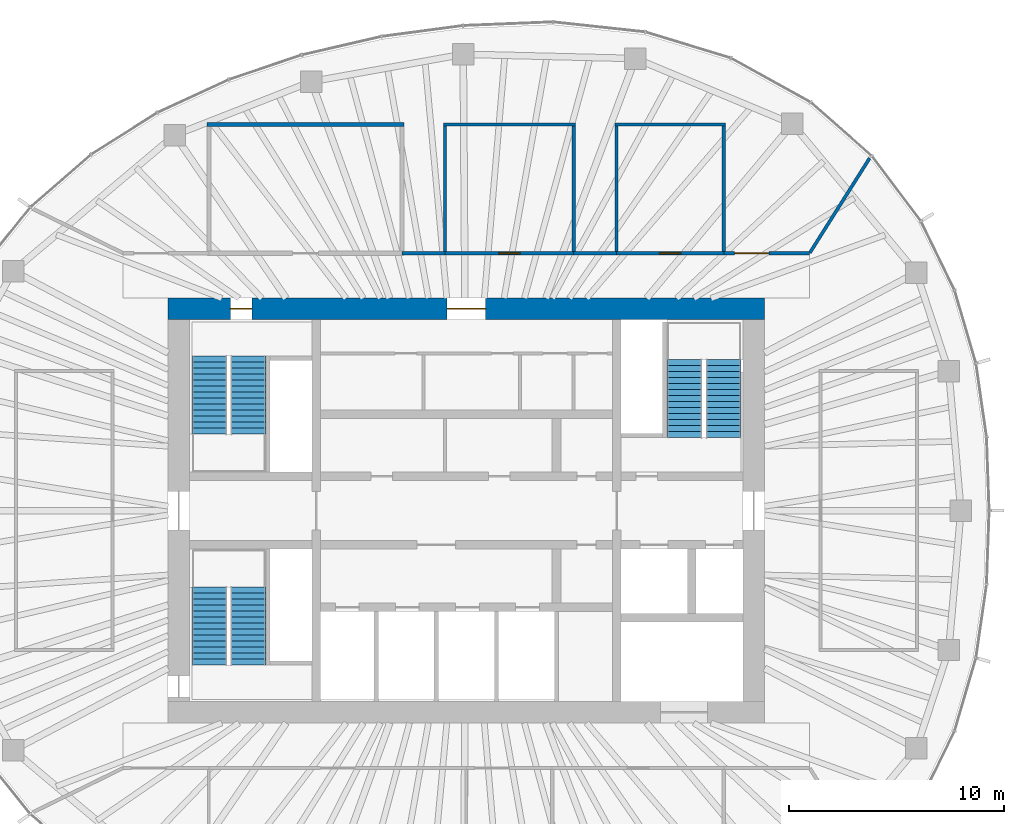
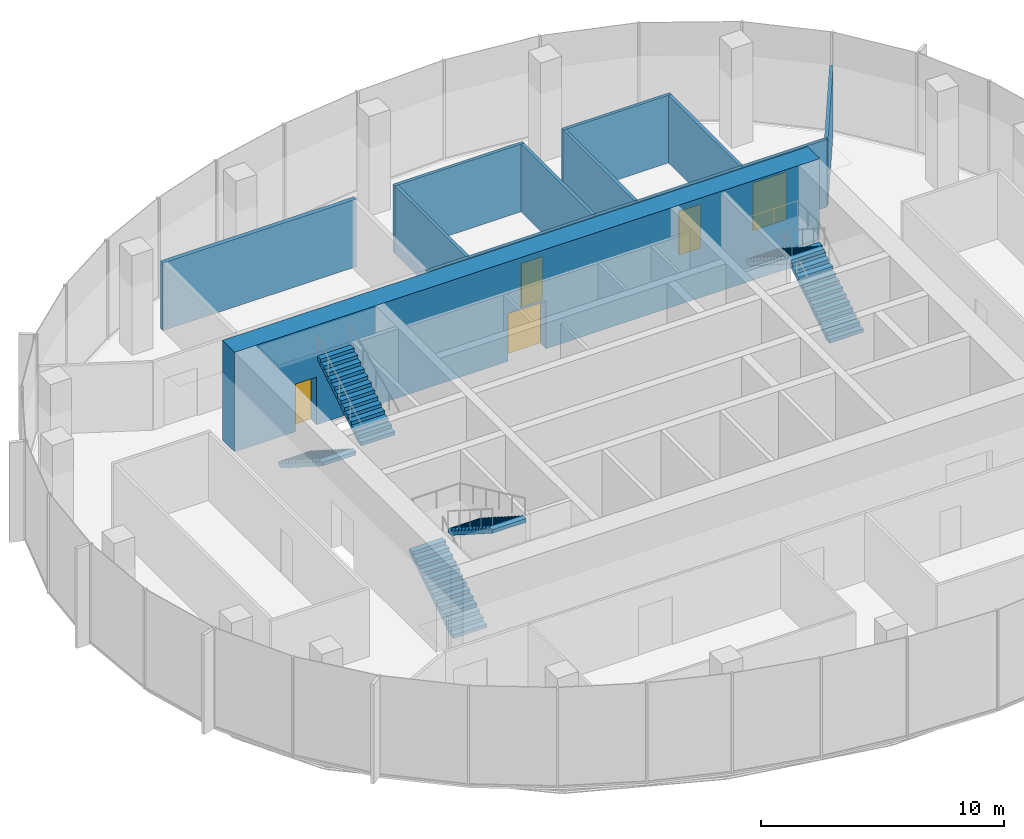
# One storey, part 10 of 11: 14 walls, 6 stair flights, 5 doors, 5 openings, 3 elements without a shape of their own.
"""IFC4 building model written with IfcOpenShell, lengths in metres."""

from ifc_helpers import new_model, si_unit, direction, frame, frame_2d, origin, place, context, subcontext, project, spatial, polyline, rectangle, outline, extrude, material, layer, layer_set, type_object, element, fill, aggregate, save


model = new_model("IFC4")

# Units and contexts
model_context = context("Model", 3, precision=1e-05, world=origin(), true_north=direction((0.0, 1.0)))
body_context = subcontext(model_context, "Body", "Model", "MODEL_VIEW")
ifc_project = project(units=[si_unit("LENGTHUNIT", "METRE"), si_unit("AREAUNIT", "SQUARE_METRE"), si_unit("VOLUMEUNIT", "CUBIC_METRE"), si_unit("PLANEANGLEUNIT", "RADIAN"), si_unit("MASSUNIT", "GRAM", prefix="KILO")], contexts=[model_context])

# Site, building, storey
site_placement = place(None, origin())
site = spatial("IfcSite", under=ifc_project, at=site_placement, CompositionType="ELEMENT")
building_placement = place(site_placement, origin())
building = spatial("IfcBuilding", under=site, at=building_placement, Name="Ghaith Harvest Tower", CompositionType="ELEMENT")
storey_placement = place(building_placement, frame((0.0, 0.0, 334.199951171875)))
storey = spatial("IfcBuildingStorey", under=building, at=storey_placement, Name="L75", CompositionType="ELEMENT", Elevation=334.199951171875)

# Wall
ifc_material_1 = material(Name="Twin-stud gypsum board, acoustic", Category="gypsum")
ifc_layer_1 = layer(ifc_material_1, 0.199951171875)
ifc_layer_set_1 = layer_set([ifc_layer_1], Name="ACOUSTIC PARTITION 200")
wall_type_1 = type_object("IfcWallType", Name="ACOUSTIC PARTITION 200", PredefinedType="PARTITIONING", material=ifc_layer_set_1)
wall_1_placement = place(storey_placement, frame((-12.10009765625, 18.0, 0.0), z_axis=(0.0, 0.0, 1.0), x_axis=(1.0, 0.0, 0.0)))
element("IfcWall", 1, at=wall_1_placement, inside=storey, type_object=wall_type_1, Name="Partition L75-01", PredefinedType="PARTITIONING", context=body_context, shape_type="SweptSolid", body=[
    extrude(rectangle(XDim=9.2001953125, YDim=0.199951171875, at=frame_2d((4.60009765625, 0.0))), origin(), (0.0, 0.0, 1.0), 3.400146484375),
])

# Wall, openings, doors
ifc_material_2 = material(Name="Concrete C50/60", Category="concrete")
ifc_layer_2 = layer(ifc_material_2, 1.0)
ifc_layer_set_2 = layer_set([ifc_layer_2], Name="CORE WALL CW1000")
wall_type_2 = type_object("IfcWallType", Name="CORE WALL CW1000", PredefinedType="SHEAR", material=ifc_layer_set_2)
wall_2_placement = place(storey_placement, frame((13.89990234375, 9.39990234375, 0.0), z_axis=(0.0, 0.0, 1.0), x_axis=(-1.0, 0.0, 0.0)))
wall_2 = element("IfcWall", 2, at=wall_2_placement, inside=storey, type_object=wall_type_2, Name="Core wall N L75", PredefinedType="SHEAR", context=body_context, shape_type="SweptSolid", body=[
    extrude(rectangle(XDim=27.7998046875, YDim=1.0, at=frame_2d((13.89990234375, 0.0))), origin(), (0.0, 0.0, 1.0), 5.0),
])
opening_1_placement = place(wall_2_placement, frame((23.89990234375, 0.0, 0.0)))
opening_1 = element("IfcOpeningElement", 3, at=opening_1_placement, cuts=wall_2, Name="Opening 75-005", PredefinedType="OPENING", context=body_context, shape_type="SweptSolid", body=[
    extrude(rectangle(XDim=1.0, YDim=2.39990234375, at=frame_2d((0.5, 1.199951171875))), frame((0.0, 0.510009765625, 0.0), z_axis=(0.0, -1.0, 0.0), x_axis=(1.0, 0.0, 0.0)), (0.0, 0.0, 1.0), 1.02001953125),
])
opening_2_placement = place(wall_2_placement, frame((13.0, 0.0, 0.0)))
opening_2 = element("IfcOpeningElement", 4, at=opening_2_placement, cuts=wall_2, Name="Opening 75-017", PredefinedType="OPENING", context=body_context, shape_type="SweptSolid", body=[
    extrude(rectangle(XDim=1.800048828125, YDim=2.39990234375, at=frame_2d((0.89990234375, 1.199951171875))), frame((0.0, 0.510009765625, 0.0), z_axis=(0.0, -1.0, 0.0), x_axis=(1.0, 0.0, 0.0)), (0.0, 0.0, 1.0), 1.02001953125),
])
ifc_material_3 = material(Name="Steel fire door", Category="steel")
door_type_1 = type_object("IfcDoorType", Name="D3 FD90 1000x2400", OperationType="SINGLE_SWING_LEFT", PredefinedType="DOOR", material=ifc_material_3)
door_1_placement = place(opening_1_placement, origin())
door_1 = element("IfcDoor", 5, at=door_1_placement, inside=storey, type_object=door_type_1, Name="Stair ST1 door", OperationType="SINGLE_SWING_RIGHT", OverallHeight=2.39990234375, OverallWidth=1.0, PredefinedType="DOOR", context=body_context, shape_type="SweptSolid", body=[
    extrude(rectangle(XDim=1.0, YDim=2.39990234375, at=frame_2d((0.5, 1.199951171875))), frame((0.0, 0.02490234375, 0.0), z_axis=(0.0, -1.0, 0.0), x_axis=(1.0, 0.0, 0.0)), (0.0, 0.0, 1.0), 0.050048828125),
])
fill(opening_1, door_1)
ifc_material_4 = material(Name="Steel fire door", Category="steel")
door_type_2 = type_object("IfcDoorType", Name="D4 FD90 PAIR 1800x2400", OperationType="DOUBLE_DOOR_SINGLE_SWING", PredefinedType="DOOR", material=ifc_material_4)
door_2_placement = place(opening_2_placement, origin())
door_2 = element("IfcDoor", 6, at=door_2_placement, inside=storey, type_object=door_type_2, Name="Core service corridor doors", OperationType="DOUBLE_DOOR_SINGLE_SWING", OverallHeight=2.39990234375, OverallWidth=1.800048828125, PredefinedType="DOOR", context=body_context, shape_type="SweptSolid", body=[
    extrude(rectangle(XDim=1.800048828125, YDim=2.39990234375, at=frame_2d((0.89990234375, 1.199951171875))), frame((0.0, 0.02490234375, 0.0), z_axis=(0.0, -1.0, 0.0), x_axis=(1.0, 0.0, 0.0)), (0.0, 0.0, 1.0), 0.050048828125),
])
fill(opening_2, door_2)

# Walls
ifc_material_5 = material(Name="Gypsum board on steel studs", Category="steel")
ifc_layer_3 = layer(ifc_material_5, 0.14990234375)
ifc_layer_set_3 = layer_set([ifc_layer_3], Name="PARTITION 150")
wall_type_3 = type_object("IfcWallType", Name="PARTITION 150", PredefinedType="PARTITIONING", material=ifc_layer_set_3)
wall_3_placement = place(storey_placement, frame((16.0107421875, 12.016845703125, 0.0), z_axis=(0.0, 0.0, 1.0), x_axis=(0.53415837449, 0.845384427916, 0.0)))
element("IfcWall", 7, at=wall_3_placement, inside=storey, type_object=wall_type_3, Name="Partition L75 zone division", PredefinedType="PARTITIONING", context=body_context, shape_type="SweptSolid", body=[
    extrude(rectangle(XDim=5.220458984375, YDim=0.14990234375, at=frame_2d((2.6103515625, 0.0))), origin(), (0.0, 0.0, 1.0), 3.400146484375),
])
for number, where, z_axis, x_axis, name in (
    (8, (-1.0, 12.0, 0.0), (0.0, 0.0, 1.0), (-1.0, 0.0, 0.0), "Partition L75 zone enclosure"),
    (9, (7.0, 12.0, 0.0), (0.0, 0.0, 1.0), (-1.0, 0.0, 0.0), "Partition L75 zone enclosure"),
):
    element("IfcWall", number, at=place(storey_placement, frame(where, z_axis=z_axis, x_axis=x_axis)), inside=storey, type_object=wall_type_3, Name=name, PredefinedType="PARTITIONING", context=body_context, shape_type="SweptSolid", body=[
        extrude(rectangle(XDim=2.0, YDim=0.14990234375, at=frame_2d((1.0, 0.0))), origin(), (0.0, 0.0, 1.0), 3.400146484375),
    ])

# Wall, opening, door
wall_4_placement = place(storey_placement, frame((16.0, 12.0, 0.0), z_axis=(0.0, 0.0, 1.0), x_axis=(-1.0, 0.0, 0.0)))
wall_4 = element("IfcWall", 10, at=wall_4_placement, inside=storey, type_object=wall_type_3, Name="Partition L75 zone enclosure", PredefinedType="PARTITIONING", context=body_context, shape_type="SweptSolid", body=[
    extrude(rectangle(XDim=4.0, YDim=0.14990234375, at=frame_2d((2.0, 0.0))), origin(), (0.0, 0.0, 1.0), 3.400146484375),
])
opening_3_placement = place(wall_4_placement, frame((1.89990234375, 0.0, 0.0)))
opening_3 = element("IfcOpeningElement", 11, at=opening_3_placement, cuts=wall_4, Name="Opening 75-032", PredefinedType="OPENING", context=body_context, shape_type="SweptSolid", body=[
    extrude(rectangle(XDim=1.60009765625, YDim=2.39990234375, at=frame_2d((0.800048828125, 1.199951171875))), frame((0.0, 0.0849609375, 0.0), z_axis=(0.0, -1.0, 0.0), x_axis=(1.0, 0.0, 0.0)), (0.0, 0.0, 1.0), 0.169921875),
])
ifc_material_6 = material(Name="Timber door", Category="wood")
door_type_3 = type_object("IfcDoorType", Name="D2 PAIR 1600x2400", OperationType="DOUBLE_DOOR_SINGLE_SWING", PredefinedType="DOOR", material=ifc_material_6)
door_3_placement = place(opening_3_placement, origin())
door_3 = element("IfcDoor", 12, at=door_3_placement, inside=storey, type_object=door_type_3, Name="Farm-to-table restaurant north door", OperationType="DOUBLE_DOOR_SINGLE_SWING", OverallHeight=2.39990234375, OverallWidth=1.60009765625, PredefinedType="DOOR", context=body_context, shape_type="SweptSolid", body=[
    extrude(rectangle(XDim=1.60009765625, YDim=2.39990234375, at=frame_2d((0.800048828125, 1.199951171875))), frame((0.0, 0.02490234375, 0.0), z_axis=(0.0, -1.0, 0.0), x_axis=(1.0, 0.0, 0.0)), (0.0, 0.0, 1.0), 0.050048828125),
])
fill(opening_3, door_3)

wall_5_placement = place(storey_placement, frame((-1.074951171875, 12.0, 0.0), z_axis=(0.0, 0.0, 1.0), x_axis=(1.0, 0.0, 0.0)))
wall_5 = element("IfcWall", 13, at=wall_5_placement, inside=storey, type_object=wall_type_3, Name="Partition L75-02", PredefinedType="PARTITIONING", context=body_context, shape_type="SweptSolid", body=[
    extrude(rectangle(XDim=6.14990234375, YDim=0.14990234375, at=frame_2d((3.074951171875, 0.0))), origin(), (0.0, 0.0, 1.0), 3.400146484375),
])
opening_4_placement = place(wall_5_placement, frame((2.574951171875, 0.0, 0.0)))
opening_4 = element("IfcOpeningElement", 14, at=opening_4_placement, cuts=wall_5, Name="Opening 75-026", PredefinedType="OPENING", context=body_context, shape_type="SweptSolid", body=[
    extrude(rectangle(XDim=1.0, YDim=2.199951171875, at=frame_2d((0.5, 1.10009765625))), frame((0.0, 0.0849609375, 0.0), z_axis=(0.0, -1.0, 0.0), x_axis=(1.0, 0.0, 0.0)), (0.0, 0.0, 1.0), 0.169921875),
])
ifc_material_7 = material(Name="Timber door", Category="wood")
door_type_4 = type_object("IfcDoorType", Name="D1 SINGLE 1000x2200", OperationType="SINGLE_SWING_LEFT", PredefinedType="DOOR", material=ifc_material_7)
door_4_placement = place(opening_4_placement, origin())
door_4 = element("IfcDoor", 15, at=door_4_placement, inside=storey, type_object=door_type_4, Name="Chef's office door", OperationType="SINGLE_SWING_LEFT", OverallHeight=2.199951171875, OverallWidth=1.0, PredefinedType="DOOR", context=body_context, shape_type="SweptSolid", body=[
    extrude(rectangle(XDim=1.0, YDim=2.199951171875, at=frame_2d((0.5, 1.10009765625))), frame((0.0, 0.02490234375, 0.0), z_axis=(0.0, -1.0, 0.0), x_axis=(1.0, 0.0, 0.0)), (0.0, 0.0, 1.0), 0.050048828125),
])
fill(opening_4, door_4)

# Walls
wall_6_placement = place(storey_placement, frame((-1.074951171875, 18.0, 0.0), z_axis=(0.0, 0.0, 1.0), x_axis=(1.0, 0.0, 0.0)))
element("IfcWall", 16, at=wall_6_placement, inside=storey, type_object=wall_type_3, Name="Partition L75-02", PredefinedType="PARTITIONING", context=body_context, shape_type="SweptSolid", body=[
    extrude(rectangle(XDim=6.14990234375, YDim=0.14990234375, at=frame_2d((3.074951171875, 0.0))), origin(), (0.0, 0.0, 1.0), 3.400146484375),
])
for number, where, z_axis, x_axis, name in (
    (17, (-1.0, 12.074951171875, 0.0), (0.0, 0.0, 1.0), (0.0, 1.0, 0.0), "Partition L75-02"),
    (18, (5.0, 12.074951171875, 0.0), (0.0, 0.0, 1.0), (0.0, 1.0, 0.0), "Partition L75-02"),
):
    element("IfcWall", number, at=place(storey_placement, frame(where, z_axis=z_axis, x_axis=x_axis)), inside=storey, type_object=wall_type_3, Name=name, PredefinedType="PARTITIONING", context=body_context, shape_type="SweptSolid", body=[
        extrude(rectangle(XDim=5.85009765625, YDim=0.14990234375, at=frame_2d((2.925048828125, 0.0))), origin(), (0.0, 0.0, 1.0), 3.400146484375),
    ])

# Wall, opening, door
wall_7_placement = place(storey_placement, frame((6.925048828125, 12.0, 0.0), z_axis=(0.0, 0.0, 1.0), x_axis=(1.0, 0.0, 0.0)))
wall_7 = element("IfcWall", 19, at=wall_7_placement, inside=storey, type_object=wall_type_3, Name="Partition L75-03", PredefinedType="PARTITIONING", context=body_context, shape_type="SweptSolid", body=[
    extrude(rectangle(XDim=5.14990234375, YDim=0.14990234375, at=frame_2d((2.574951171875, 0.0))), origin(), (0.0, 0.0, 1.0), 3.400146484375),
])
opening_5_placement = place(wall_7_placement, frame((2.074951171875, 0.0, 0.0)))
opening_5 = element("IfcOpeningElement", 20, at=opening_5_placement, cuts=wall_7, Name="Opening 75-027", PredefinedType="OPENING", context=body_context, shape_type="SweptSolid", body=[
    extrude(rectangle(XDim=1.0, YDim=2.199951171875, at=frame_2d((0.5, 1.10009765625))), frame((0.0, 0.0849609375, 0.0), z_axis=(0.0, -1.0, 0.0), x_axis=(1.0, 0.0, 0.0)), (0.0, 0.0, 1.0), 0.169921875),
])
door_5_placement = place(opening_5_placement, origin())
door_5 = element("IfcDoor", 21, at=door_5_placement, inside=storey, type_object=door_type_4, Name="Wine store door", OperationType="SINGLE_SWING_LEFT", OverallHeight=2.199951171875, OverallWidth=1.0, PredefinedType="DOOR", context=body_context, shape_type="SweptSolid", body=[
    extrude(rectangle(XDim=1.0, YDim=2.199951171875, at=frame_2d((0.5, 1.10009765625))), frame((0.0, 0.02490234375, 0.0), z_axis=(0.0, -1.0, 0.0), x_axis=(1.0, 0.0, 0.0)), (0.0, 0.0, 1.0), 0.050048828125),
])
fill(opening_5, door_5)

# Walls
wall_8_placement = place(storey_placement, frame((6.925048828125, 18.0, 0.0), z_axis=(0.0, 0.0, 1.0), x_axis=(1.0, 0.0, 0.0)))
element("IfcWall", 22, at=wall_8_placement, inside=storey, type_object=wall_type_3, Name="Partition L75-03", PredefinedType="PARTITIONING", context=body_context, shape_type="SweptSolid", body=[
    extrude(rectangle(XDim=5.14990234375, YDim=0.14990234375, at=frame_2d((2.574951171875, 0.0))), origin(), (0.0, 0.0, 1.0), 3.400146484375),
])
for number, where, z_axis, x_axis, name in (
    (23, (7.0, 12.074951171875, 0.0), (0.0, 0.0, 1.0), (0.0, 1.0, 0.0), "Partition L75-03"),
    (24, (12.0, 12.074951171875, 0.0), (0.0, 0.0, 1.0), (0.0, 1.0, 0.0), "Partition L75-03"),
):
    element("IfcWall", number, at=place(storey_placement, frame(where, z_axis=z_axis, x_axis=x_axis)), inside=storey, type_object=wall_type_3, Name=name, PredefinedType="PARTITIONING", context=body_context, shape_type="SweptSolid", body=[
        extrude(rectangle(XDim=5.85009765625, YDim=0.14990234375, at=frame_2d((2.925048828125, 0.0))), origin(), (0.0, 0.0, 1.0), 3.400146484375),
    ])

# Stair, stair flights
ifc_material_8 = material(Name="Concrete C40/50, precast", Category="concrete")
stair_type = type_object("IfcStairType", Name="CORE STAIR 28R", PredefinedType="HALF_TURN_STAIR", material=ifc_material_8)
stair_1_placement = place(storey_placement, origin())
stair_1 = element("IfcStair", 25, at=stair_1_placement, inside=storey, type_object=stair_type, Name="Stair ST1 L75", PredefinedType="HALF_TURN_STAIR")
ifc_material_9 = material(Name="Concrete C40/50, precast", Category="concrete")
stair_flight_type = type_object("IfcStairFlightType", Name="CORE FLIGHT 14R 1600", PredefinedType="STRAIGHT", material=ifc_material_9)
stair_flight_1_placement = place(storey_placement, frame((-12.0, 7.199951171875, 0.0), z_axis=(0.0, 0.0, 1.0), x_axis=(0.0, -1.0, 0.0)))
stair_flight_1 = element("IfcStairFlight", 26, at=stair_flight_1_placement, type_object=stair_flight_type, Name="ST1 flight 1", NumberOfRisers=14, NumberOfTreads=13, PredefinedType="STRAIGHT", RiserHeight=0.178571429, TreadLength=0.28, context=body_context, shape_type="SweptSolid", body=[
    extrude(outline(polyline([(0.0, 0.0), (0.0, 0.178466796875), (0.280029296875, 0.178466796875), (0.280029296875, 0.357177734375), (0.56005859375, 0.357177734375), (0.56005859375, 0.53564453125), (0.840087890625, 0.53564453125), (0.840087890625, 0.71435546875), (1.1201171875, 0.71435546875), (1.1201171875, 0.892822265625), (1.39990234375, 0.892822265625), (1.39990234375, 1.071533203125), (1.679931640625, 1.071533203125), (1.679931640625, 1.25), (1.9599609375, 1.25), (1.9599609375, 1.428466796875), (2.239990234375, 1.428466796875), (2.239990234375, 1.607177734375), (2.52001953125, 1.607177734375), (2.52001953125, 1.78564453125), (2.800048828125, 1.78564453125), (2.800048828125, 1.96435546875), (3.080078125, 1.96435546875), (3.080078125, 2.142822265625), (3.360107421875, 2.142822265625), (3.360107421875, 2.321533203125), (3.639892578125, 2.321533203125), (3.639892578125, 2.5), (3.639892578125, 2.1435546875), (0.27880859375, 0.0), (0.0, 0.0)])), frame((0.0, 0.800048828125, 0.0), z_axis=(0.0, -1.0, 0.0), x_axis=(1.0, 0.0, 0.0)), (0.0, 0.0, 1.0), 1.60009765625),
])
stair_flight_2_placement = place(storey_placement, frame((-10.14990234375, 3.56005859375, 2.5), z_axis=(0.0, 0.0, 1.0), x_axis=(0.0, 1.0, 0.0)))
stair_flight_2 = element("IfcStairFlight", 27, at=stair_flight_2_placement, type_object=stair_flight_type, Name="ST1 flight 2", NumberOfRisers=14, NumberOfTreads=13, PredefinedType="STRAIGHT", RiserHeight=0.178571429, TreadLength=0.28, context=body_context, shape_type="SweptSolid", body=[
    extrude(outline(polyline([(0.0, 0.0), (0.0, 0.178466796875), (0.280029296875, 0.178466796875), (0.280029296875, 0.357177734375), (0.56005859375, 0.357177734375), (0.56005859375, 0.53564453125), (0.840087890625, 0.53564453125), (0.840087890625, 0.71435546875), (1.1201171875, 0.71435546875), (1.1201171875, 0.892822265625), (1.39990234375, 0.892822265625), (1.39990234375, 1.071533203125), (1.679931640625, 1.071533203125), (1.679931640625, 1.25), (1.9599609375, 1.25), (1.9599609375, 1.428466796875), (2.239990234375, 1.428466796875), (2.239990234375, 1.607177734375), (2.52001953125, 1.607177734375), (2.52001953125, 1.78564453125), (2.800048828125, 1.78564453125), (2.800048828125, 1.96435546875), (3.080078125, 1.96435546875), (3.080078125, 2.142822265625), (3.360107421875, 2.142822265625), (3.360107421875, 2.321533203125), (3.639892578125, 2.321533203125), (3.639892578125, 2.5), (3.639892578125, 2.1435546875), (0.27880859375, 0.0), (0.0, 0.0)])), frame((0.0, 0.800048828125, 0.0), z_axis=(0.0, -1.0, 0.0), x_axis=(1.0, 0.0, 0.0)), (0.0, 0.0, 1.0), 1.60009765625),
])
aggregate(stair_1, [stair_flight_1, stair_flight_2])

stair_2_placement = place(storey_placement, origin())
stair_2 = element("IfcStair", 28, at=stair_2_placement, inside=storey, type_object=stair_type, Name="Stair ST3 L75", PredefinedType="HALF_TURN_STAIR")
stair_flight_3_placement = place(storey_placement, frame((-12.0, -7.199951171875, 0.0), z_axis=(0.0, 0.0, 1.0), x_axis=(0.0, 1.0, 0.0)))
stair_flight_3 = element("IfcStairFlight", 29, at=stair_flight_3_placement, type_object=stair_flight_type, Name="ST3 flight 1", NumberOfRisers=14, NumberOfTreads=13, PredefinedType="STRAIGHT", RiserHeight=0.178571429, TreadLength=0.28, context=body_context, shape_type="SweptSolid", body=[
    extrude(outline(polyline([(0.0, 0.0), (0.0, 0.178466796875), (0.280029296875, 0.178466796875), (0.280029296875, 0.357177734375), (0.56005859375, 0.357177734375), (0.56005859375, 0.53564453125), (0.840087890625, 0.53564453125), (0.840087890625, 0.71435546875), (1.1201171875, 0.71435546875), (1.1201171875, 0.892822265625), (1.39990234375, 0.892822265625), (1.39990234375, 1.071533203125), (1.679931640625, 1.071533203125), (1.679931640625, 1.25), (1.9599609375, 1.25), (1.9599609375, 1.428466796875), (2.239990234375, 1.428466796875), (2.239990234375, 1.607177734375), (2.52001953125, 1.607177734375), (2.52001953125, 1.78564453125), (2.800048828125, 1.78564453125), (2.800048828125, 1.96435546875), (3.080078125, 1.96435546875), (3.080078125, 2.142822265625), (3.360107421875, 2.142822265625), (3.360107421875, 2.321533203125), (3.639892578125, 2.321533203125), (3.639892578125, 2.5), (3.639892578125, 2.1435546875), (0.27880859375, 0.0), (0.0, 0.0)])), frame((0.0, 0.800048828125, 0.0), z_axis=(0.0, -1.0, 0.0), x_axis=(1.0, 0.0, 0.0)), (0.0, 0.0, 1.0), 1.60009765625),
])
stair_flight_4_placement = place(storey_placement, frame((-10.14990234375, -3.56005859375, 2.5), z_axis=(0.0, 0.0, 1.0), x_axis=(0.0, -1.0, 0.0)))
stair_flight_4 = element("IfcStairFlight", 30, at=stair_flight_4_placement, type_object=stair_flight_type, Name="ST3 flight 2", NumberOfRisers=14, NumberOfTreads=13, PredefinedType="STRAIGHT", RiserHeight=0.178571429, TreadLength=0.28, context=body_context, shape_type="SweptSolid", body=[
    extrude(outline(polyline([(0.0, 0.0), (0.0, 0.178466796875), (0.280029296875, 0.178466796875), (0.280029296875, 0.357177734375), (0.56005859375, 0.357177734375), (0.56005859375, 0.53564453125), (0.840087890625, 0.53564453125), (0.840087890625, 0.71435546875), (1.1201171875, 0.71435546875), (1.1201171875, 0.892822265625), (1.39990234375, 0.892822265625), (1.39990234375, 1.071533203125), (1.679931640625, 1.071533203125), (1.679931640625, 1.25), (1.9599609375, 1.25), (1.9599609375, 1.428466796875), (2.239990234375, 1.428466796875), (2.239990234375, 1.607177734375), (2.52001953125, 1.607177734375), (2.52001953125, 1.78564453125), (2.800048828125, 1.78564453125), (2.800048828125, 1.96435546875), (3.080078125, 1.96435546875), (3.080078125, 2.142822265625), (3.360107421875, 2.142822265625), (3.360107421875, 2.321533203125), (3.639892578125, 2.321533203125), (3.639892578125, 2.5), (3.639892578125, 2.1435546875), (0.27880859375, 0.0), (0.0, 0.0)])), frame((0.0, 0.800048828125, 0.0), z_axis=(0.0, -1.0, 0.0), x_axis=(1.0, 0.0, 0.0)), (0.0, 0.0, 1.0), 1.60009765625),
])
aggregate(stair_2, [stair_flight_3, stair_flight_4])

stair_3_placement = place(storey_placement, origin())
stair_3 = element("IfcStair", 31, at=stair_3_placement, inside=storey, type_object=stair_type, Name="Stair ST2 L75", PredefinedType="HALF_TURN_STAIR")
stair_flight_5_placement = place(storey_placement, frame((12.0, 3.39990234375, 0.0), z_axis=(0.0, 0.0, 1.0), x_axis=(0.0, 1.0, 0.0)))
stair_flight_5 = element("IfcStairFlight", 32, at=stair_flight_5_placement, type_object=stair_flight_type, Name="ST2 flight 1", NumberOfRisers=14, NumberOfTreads=13, PredefinedType="STRAIGHT", RiserHeight=0.178571429, TreadLength=0.28, context=body_context, shape_type="SweptSolid", body=[
    extrude(outline(polyline([(0.0, 0.0), (0.0, 0.178466796875), (0.280029296875, 0.178466796875), (0.280029296875, 0.357177734375), (0.56005859375, 0.357177734375), (0.56005859375, 0.53564453125), (0.840087890625, 0.53564453125), (0.840087890625, 0.71435546875), (1.1201171875, 0.71435546875), (1.1201171875, 0.892822265625), (1.39990234375, 0.892822265625), (1.39990234375, 1.071533203125), (1.679931640625, 1.071533203125), (1.679931640625, 1.25), (1.9599609375, 1.25), (1.9599609375, 1.428466796875), (2.239990234375, 1.428466796875), (2.239990234375, 1.607177734375), (2.52001953125, 1.607177734375), (2.52001953125, 1.78564453125), (2.800048828125, 1.78564453125), (2.800048828125, 1.96435546875), (3.080078125, 1.96435546875), (3.080078125, 2.142822265625), (3.360107421875, 2.142822265625), (3.360107421875, 2.321533203125), (3.639892578125, 2.321533203125), (3.639892578125, 2.5), (3.639892578125, 2.1435546875), (0.27880859375, 0.0), (0.0, 0.0)])), frame((0.0, 0.800048828125, 0.0), z_axis=(0.0, -1.0, 0.0), x_axis=(1.0, 0.0, 0.0)), (0.0, 0.0, 1.0), 1.60009765625),
])
stair_flight_6_placement = place(storey_placement, frame((10.14990234375, 7.0400390625, 2.5), z_axis=(0.0, 0.0, 1.0), x_axis=(0.0, -1.0, 0.0)))
stair_flight_6 = element("IfcStairFlight", 33, at=stair_flight_6_placement, type_object=stair_flight_type, Name="ST2 flight 2", NumberOfRisers=14, NumberOfTreads=13, PredefinedType="STRAIGHT", RiserHeight=0.178571429, TreadLength=0.28, context=body_context, shape_type="SweptSolid", body=[
    extrude(outline(polyline([(0.0, 0.0), (0.0, 0.178466796875), (0.280029296875, 0.178466796875), (0.280029296875, 0.357177734375), (0.56005859375, 0.357177734375), (0.56005859375, 0.53564453125), (0.840087890625, 0.53564453125), (0.840087890625, 0.71435546875), (1.1201171875, 0.71435546875), (1.1201171875, 0.892822265625), (1.39990234375, 0.892822265625), (1.39990234375, 1.071533203125), (1.679931640625, 1.071533203125), (1.679931640625, 1.25), (1.9599609375, 1.25), (1.9599609375, 1.428466796875), (2.239990234375, 1.428466796875), (2.239990234375, 1.607177734375), (2.52001953125, 1.607177734375), (2.52001953125, 1.78564453125), (2.800048828125, 1.78564453125), (2.800048828125, 1.96435546875), (3.080078125, 1.96435546875), (3.080078125, 2.142822265625), (3.360107421875, 2.142822265625), (3.360107421875, 2.321533203125), (3.639892578125, 2.321533203125), (3.639892578125, 2.5), (3.639892578125, 2.1435546875), (0.27880859375, 0.0), (0.0, 0.0)])), frame((0.0, 0.800048828125, 0.0), z_axis=(0.0, -1.0, 0.0), x_axis=(1.0, 0.0, 0.0)), (0.0, 0.0, 1.0), 1.60009765625),
])
aggregate(stair_3, [stair_flight_5, stair_flight_6])

save(model, "model.ifc")
